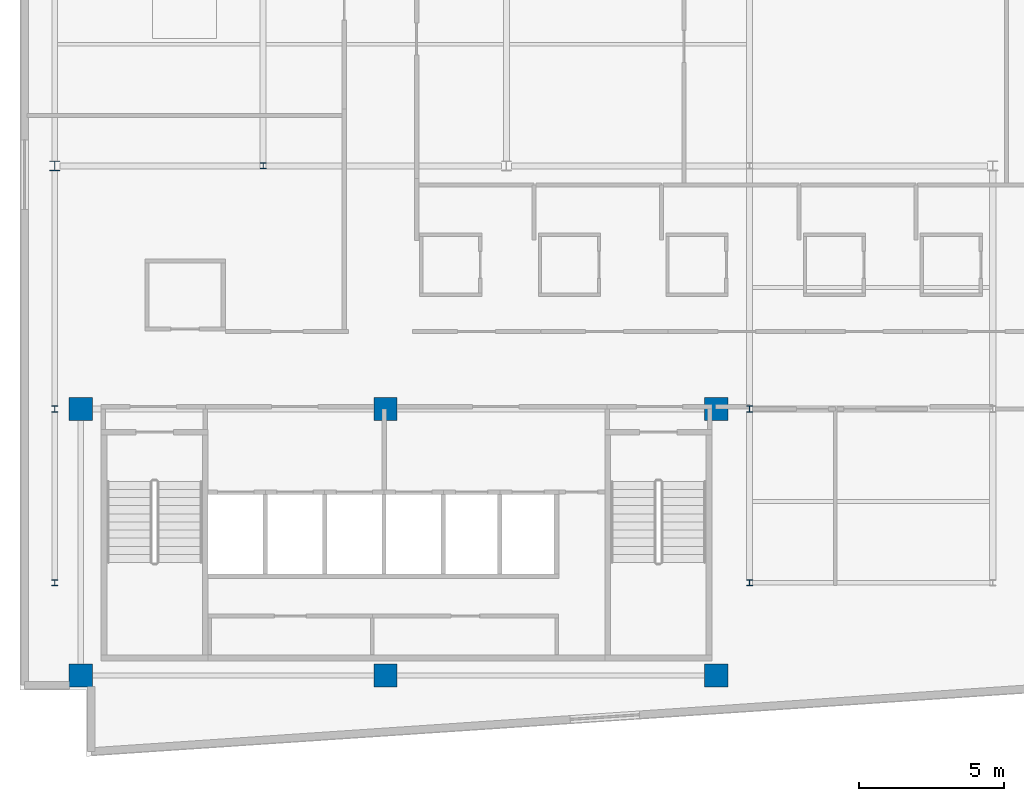
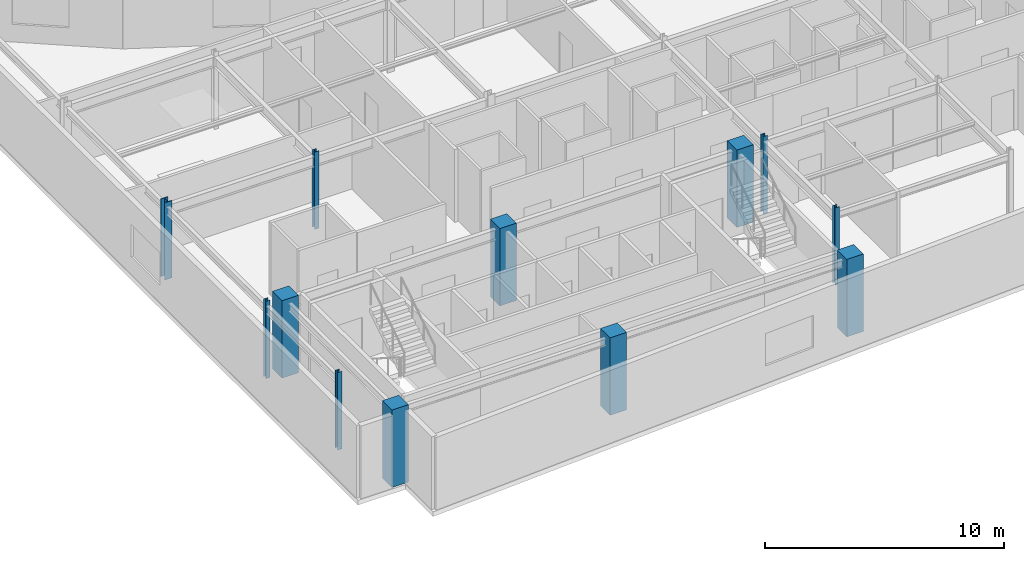
# One storey, part 1 of 16: 12 columns.
"""IFC4 building model written with IfcOpenShell, lengths in metres."""

from ifc_helpers import new_model, si_unit, direction, frame, origin, origin_2d, place, context, subcontext, project, spatial, rectangle, i_section, extrude, material, material_profile, profile_set, type_object, element, save


model = new_model("IFC4")

# Units and contexts
model_context = context("Model", 3, precision=1e-05, world=origin(), true_north=direction((0.0, 1.0)))
body_context = subcontext(model_context, "Body", "Model", "MODEL_VIEW")
ifc_project = project(units=[si_unit("LENGTHUNIT", "METRE"), si_unit("AREAUNIT", "SQUARE_METRE"), si_unit("VOLUMEUNIT", "CUBIC_METRE"), si_unit("PLANEANGLEUNIT", "RADIAN"), si_unit("MASSUNIT", "GRAM", prefix="KILO")], contexts=[model_context])

# Site, building, storey
site_placement = place(None, origin())
site = spatial("IfcSite", under=ifc_project, at=site_placement, CompositionType="ELEMENT")
building_placement = place(site_placement, origin())
building = spatial("IfcBuilding", under=site, at=building_placement, Name="Varnakote Quay Hospital", CompositionType="ELEMENT")
storey_placement = place(building_placement, frame((0.0, 0.0, 296.050048828125)))
storey = spatial("IfcBuildingStorey", under=building, at=storey_placement, Name="L73", CompositionType="ELEMENT", Elevation=296.050048828125)

# Columns
ifc_material_1 = material(Name="Concrete N50 (f'c 50 MPa)", Category="concrete")
ifc_material_profile_1 = material_profile(ifc_material_1, rectangle(XDim=0.800048828125, YDim=0.800048828125, at=origin_2d()), Name="RC-COL-800x800")
ifc_profile_set_1 = profile_set([ifc_material_profile_1], Name="Concrete N50 (f'c 50 MPa)")
column_type_1 = type_object("IfcColumnType", Name="COL-RC-800", PredefinedType="COLUMN", material=ifc_profile_set_1)
for number, where, z_axis, x_axis, name in (
    (1, (2.10009765625, 2.800048828125, 0.0), (0.0, 0.0, 1.0), (1.0, 0.0, 0.0), "L73 Structural Column C-2-3"),
    (2, (12.6201171875, 2.800048828125, 0.0), (0.0, 0.0, 1.0), (1.0, 0.0, 0.0), "L73 Structural Column C-13-3"),
    (3, (24.050048828125, 2.800048828125, 0.0), (0.0, 0.0, 1.0), (1.0, 0.0, 0.0), "L73 Structural Column C-24-3"),
    (4, (2.10009765625, 12.0, 0.0), (0.0, 0.0, 1.0), (1.0, 0.0, 0.0), "L73 Structural Column C-2-12"),
    (5, (12.6201171875, 12.0, 0.0), (0.0, 0.0, 1.0), (1.0, 0.0, 0.0), "L73 Structural Column C-13-12"),
    (6, (24.050048828125, 12.0, 0.0), (0.0, 0.0, 1.0), (1.0, 0.0, 0.0), "L73 Structural Column C-24-12"),
):
    element("IfcColumn", number, at=place(storey_placement, frame(where, z_axis=z_axis, x_axis=x_axis)), inside=storey, type_object=column_type_1, Name=name, PredefinedType="COLUMN", context=body_context, shape_type="SweptSolid", body=[
        extrude(rectangle(XDim=0.800048828125, YDim=0.800048828125, at=origin_2d()), origin(), (0.0, 0.0, 1.0), 3.949951171875),
    ])
ifc_material_2 = material(Name="Structural steel AS/NZS 3679.1 Grade 350 L0 (fy 340 MPa)", Category="steel")
ifc_material_profile_2 = material_profile(ifc_material_2, i_section(OverallWidth=0.205078125, OverallDepth=0.2099609375, WebThickness=0.00927734375, FlangeThickness=0.01416015625, FilletRadius=0.011474609375, at=origin_2d()), Name="200UC59.5")
ifc_profile_set_2 = profile_set([ifc_material_profile_2], Name="Structural steel AS/NZS 3679.1 Grade 350 L0 (fy 340 MPa)")
column_type_2 = type_object("IfcColumnType", Name="COL-STL-200UC59-5", PredefinedType="COLUMN", material=ifc_profile_set_2)
for number, where, z_axis, x_axis, name in (
    (7, (1.199951171875, 6.0, 0.0), (0.0, 0.0, 1.0), (1.0, 0.0, 0.0), "L73 Structural Column C-1-6"),
    (8, (25.199951171875, 6.0, 0.0), (0.0, 0.0, 1.0), (1.0, 0.0, 0.0), "L73 Structural Column C-25-6"),
    (9, (1.199951171875, 12.0, 0.0), (0.0, 0.0, 1.0), (1.0, 0.0, 0.0), "L73 Structural Column C-1-12"),
    (10, (25.199951171875, 12.0, 0.0), (0.0, 0.0, 1.0), (1.0, 0.0, 0.0), "L73 Structural Column C-25-12"),
    (11, (8.39990234375, 20.39990234375, 0.0), (0.0, 0.0, 1.0), (1.0, 0.0, 0.0), "L73 Structural Column C-8-20"),
):
    element("IfcColumn", number, at=place(storey_placement, frame(where, z_axis=z_axis, x_axis=x_axis)), inside=storey, type_object=column_type_2, Name=name, PredefinedType="COLUMN", context=body_context, shape_type="SweptSolid", body=[
        extrude(i_section(OverallWidth=0.205078125, OverallDepth=0.2099609375, WebThickness=0.00927734375, FlangeThickness=0.01416015625, FilletRadius=0.011474609375, at=origin_2d()), origin(), (0.0, 0.0, 1.0), 3.949951171875),
    ])
ifc_material_3 = material(Name="Structural steel AS/NZS 3678 Grade 350 (fy 340 MPa)", Category="steel")
ifc_material_profile_3 = material_profile(ifc_material_3, i_section(OverallWidth=0.35009765625, OverallDepth=0.340087890625, WebThickness=0.01611328125, FlangeThickness=0.028076171875, at=origin_2d()), Name="350WC197")
ifc_profile_set_3 = profile_set([ifc_material_profile_3], Name="Structural steel AS/NZS 3678 Grade 350 (fy 340 MPa)")
column_type_3 = type_object("IfcColumnType", Name="COL-STL-350WC197", PredefinedType="COLUMN", material=ifc_profile_set_3)
column_placement = place(storey_placement, frame((1.199951171875, 20.39990234375, 0.0), z_axis=(0.0, 0.0, 1.0), x_axis=(1.0, 0.0, 0.0)))
element("IfcColumn", 12, at=column_placement, inside=storey, type_object=column_type_3, Name="L73 Structural Column C-1-20", PredefinedType="COLUMN", context=body_context, shape_type="SweptSolid", body=[
    extrude(i_section(OverallWidth=0.35009765625, OverallDepth=0.340087890625, WebThickness=0.01611328125, FlangeThickness=0.028076171875, at=origin_2d()), origin(), (0.0, 0.0, 1.0), 3.949951171875),
])

save(model, "model.ifc")
